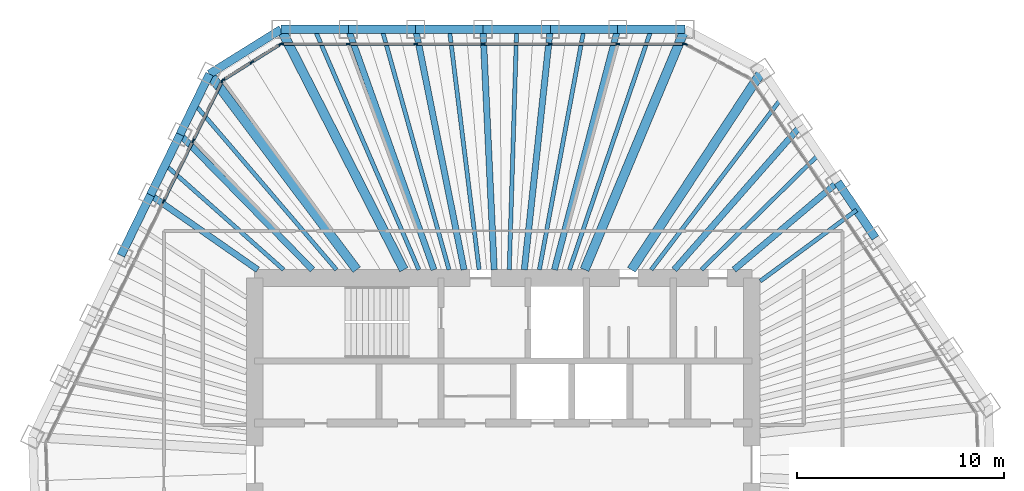
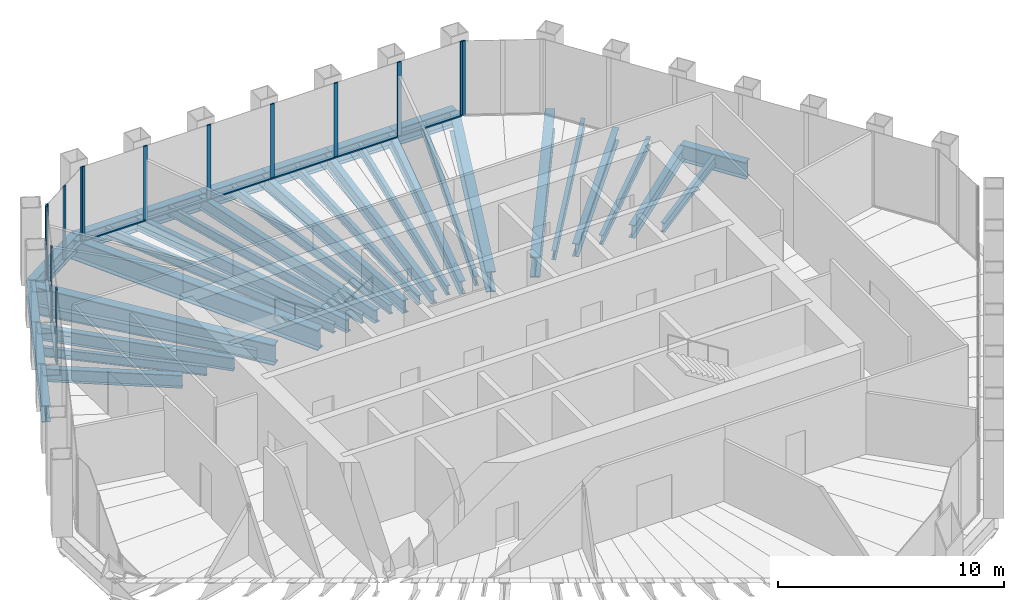
# One storey, part 7 of 14: 35 beams, 24 members, 4 elements without a shape of their own.
"""IFC4 building model written with IfcOpenShell, lengths in metres."""

from ifc_helpers import new_model, si_unit, direction, frame, origin, origin_2d, place, context, subcontext, project, spatial, rectangle, i_section, extrude, material, material_profile, profile_set, type_object, element, aggregate, save


model = new_model("IFC4")

# Units and contexts
model_context = context("Model", 3, precision=1e-05, world=origin(), true_north=direction((0.0, 1.0)))
body_context = subcontext(model_context, "Body", "Model", "MODEL_VIEW")
ifc_project = project(units=[si_unit("LENGTHUNIT", "METRE"), si_unit("AREAUNIT", "SQUARE_METRE"), si_unit("VOLUMEUNIT", "CUBIC_METRE"), si_unit("PLANEANGLEUNIT", "RADIAN"), si_unit("MASSUNIT", "GRAM", prefix="KILO")], contexts=[model_context])

# Site, building, storey
site_placement = place(None, origin())
site = spatial("IfcSite", under=ifc_project, at=site_placement, CompositionType="ELEMENT")
building_placement = place(site_placement, origin())
building = spatial("IfcBuilding", under=site, at=building_placement, Name="Qingtian Harvest Tower", CompositionType="ELEMENT")
storey_placement = place(building_placement, frame((0.0, 0.0, 320.800048828125)))
storey = spatial("IfcBuildingStorey", under=building, at=storey_placement, Name="L71", CompositionType="ELEMENT", Elevation=320.800048828125)

# Beams
ifc_material_1 = material(Name="Steel SM570MC", Category="steel")
ifc_material_profile_1 = material_profile(ifc_material_1, i_section(OverallWidth=0.449951171875, OverallDepth=1.10009765625, WebThickness=0.02197265625, FlangeThickness=0.044921875, at=origin_2d()), Name="H1100x450x22x45")
ifc_profile_set_1 = profile_set([ifc_material_profile_1], Name="Steel SM570MC")
beam_type_1 = type_object("IfcBeamType", Name="Corner floor beam FB8 H1100x450x22x45", PredefinedType="BEAM", material=ifc_profile_set_1)
beam_1_placement = place(storey_placement, frame((-10.72216796875, 21.0, -0.719970703125), z_axis=(0.454725592954, -0.890631593372, 0.0), x_axis=(0.890631593372, 0.454725592954, 0.0)))
element("IfcBeam", 1, at=beam_1_placement, inside=storey, type_object=beam_type_1, Name="Floor beam FB8 N0", PredefinedType="BEAM", context=body_context, shape_type="SweptSolid", body=[
    extrude(i_section(OverallWidth=0.449951171875, OverallDepth=1.10009765625, WebThickness=0.02197265625, FlangeThickness=0.044921875, at=origin_2d()), origin(), (0.0, 0.0, 1.0), 13.024658203125),
])
beam_2_placement = place(storey_placement, frame((8.765869140625, 21.0, -0.719970703125), z_axis=(-0.385202803059, -0.922831945977, 0.0), x_axis=(0.922831945977, -0.385202803059, 0.0)))
element("IfcBeam", 2, at=beam_2_placement, inside=storey, type_object=beam_type_1, Name="Floor beam FB8 N6", PredefinedType="BEAM", context=body_context, shape_type="SweptSolid", body=[
    extrude(i_section(OverallWidth=0.449951171875, OverallDepth=1.10009765625, WebThickness=0.02197265625, FlangeThickness=0.044921875, at=origin_2d()), origin(), (0.0, 0.0, 1.0), 12.570068359375),
])
beam_3_placement = place(storey_placement, frame((12.508056640625, 19.01025390625, -0.719970703125), z_axis=(-0.549655478371, -0.835391438247, 0.0), x_axis=(0.835391438247, -0.549655478371, 0.0)))
element("IfcBeam", 3, at=beam_3_placement, inside=storey, type_object=beam_type_1, Name="Floor beam FB8 NE0", PredefinedType="BEAM", context=body_context, shape_type="SweptSolid", body=[
    extrude(i_section(OverallWidth=0.449951171875, OverallDepth=1.10009765625, WebThickness=0.02197265625, FlangeThickness=0.044921875, at=origin_2d()), origin(), (0.0, 0.0, 1.0), 11.50390625),
])
beam_4_placement = place(storey_placement, frame((-14.17431640625, 18.8427734375, -0.719970703125), z_axis=(0.601143201392, -0.799141321307, 0.0), x_axis=(0.799141321307, 0.601143201392, 0.0)))
element("IfcBeam", 4, at=beam_4_placement, inside=storey, type_object=beam_type_1, Name="Floor beam FB8 NW6", PredefinedType="BEAM", context=body_context, shape_type="SweptSolid", body=[
    extrude(i_section(OverallWidth=0.449951171875, OverallDepth=1.10009765625, WebThickness=0.02197265625, FlangeThickness=0.044921875, at=origin_2d()), origin(), (0.0, 0.0, 1.0), 11.816162109375),
])
ifc_material_2 = material(Name="Steel SN490B", Category="steel")
ifc_material_profile_2 = material_profile(ifc_material_2, i_section(OverallWidth=0.300048828125, OverallDepth=0.699951171875, WebThickness=0.012939453125, FlangeThickness=0.02392578125, at=origin_2d()), Name="H700x300x13x24")
ifc_profile_set_2 = profile_set([ifc_material_profile_2], Name="Steel SN490B")
beam_type_2 = type_object("IfcBeamType", Name="Floor beam FB4 H700x300x13x24", PredefinedType="BEAM", material=ifc_profile_set_2)
beam_5_placement = place(storey_placement, frame((-7.47412109375, 21.0, -0.52001953125), z_axis=(0.335293644082, -0.942113672673, 0.0), x_axis=(0.942113672673, 0.335293644082, 0.0)))
element("IfcBeam", 5, at=beam_5_placement, inside=storey, type_object=beam_type_2, Name="Floor beam FB4 N1", PredefinedType="BEAM", context=body_context, shape_type="SweptSolid", body=[
    extrude(i_section(OverallWidth=0.300048828125, OverallDepth=0.699951171875, WebThickness=0.012939453125, FlangeThickness=0.02392578125, at=origin_2d()), origin(), (0.0, 0.0, 1.0), 12.312744140625),
])
beam_6_placement = place(storey_placement, frame((-4.226318359375, 21.0, -0.52001953125), z_axis=(0.197290474792, -0.980345076265, 0.0), x_axis=(0.980345076265, 0.197290474792, 0.0)))
element("IfcBeam", 6, at=beam_6_placement, inside=storey, type_object=beam_type_2, Name="Floor beam FB4 N2", PredefinedType="BEAM", context=body_context, shape_type="SweptSolid", body=[
    extrude(i_section(OverallWidth=0.300048828125, OverallDepth=0.699951171875, WebThickness=0.012939453125, FlangeThickness=0.02392578125, at=origin_2d()), origin(), (0.0, 0.0, 1.0), 11.832763671875),
])
beam_7_placement = place(storey_placement, frame((-0.978271484375, 21.0, -0.52001953125), z_axis=(0.046546287853, -0.998916134161, 0.0), x_axis=(0.998916134161, 0.046546287853, 0.0)))
element("IfcBeam", 7, at=beam_7_placement, inside=storey, type_object=beam_type_2, Name="Floor beam FB4 N3", PredefinedType="BEAM", context=body_context, shape_type="SweptSolid", body=[
    extrude(i_section(OverallWidth=0.300048828125, OverallDepth=0.699951171875, WebThickness=0.012939453125, FlangeThickness=0.02392578125, at=origin_2d()), origin(), (0.0, 0.0, 1.0), 11.61279296875),
])
beam_8_placement = place(storey_placement, frame((2.269775390625, 21.0, -0.52001953125), z_axis=(-0.107447744153, -0.994210733334, 0.0), x_axis=(0.994210733334, -0.107447744153, 0.0)))
element("IfcBeam", 8, at=beam_8_placement, inside=storey, type_object=beam_type_2, Name="Floor beam FB4 N4", PredefinedType="BEAM", context=body_context, shape_type="SweptSolid", body=[
    extrude(i_section(OverallWidth=0.300048828125, OverallDepth=0.699951171875, WebThickness=0.012939453125, FlangeThickness=0.02392578125, at=origin_2d()), origin(), (0.0, 0.0, 1.0), 11.667724609375),
])
beam_9_placement = place(storey_placement, frame((5.517822265625, 21.0, -0.52001953125), z_axis=(-0.254118548412, -0.967173078282, 0.0), x_axis=(0.967173078282, -0.254118548412, 0.0)))
element("IfcBeam", 9, at=beam_9_placement, inside=storey, type_object=beam_type_2, Name="Floor beam FB4 N5", PredefinedType="BEAM", context=body_context, shape_type="SweptSolid", body=[
    extrude(i_section(OverallWidth=0.300048828125, OverallDepth=0.699951171875, WebThickness=0.012939453125, FlangeThickness=0.02392578125, at=origin_2d()), origin(), (0.0, 0.0, 1.0), 11.993896484375),
])
beam_10_placement = place(storey_placement, frame((14.32421875, 16.317626953125, -0.52001953125), z_axis=(-0.659703637934, -0.751525854576, 0.0), x_axis=(0.751525854576, -0.659703637934, 0.0)))
element("IfcBeam", 10, at=beam_10_placement, inside=storey, type_object=beam_type_2, Name="Floor beam FB4 NE1", PredefinedType="BEAM", context=body_context, shape_type="SweptSolid", body=[
    extrude(i_section(OverallWidth=0.300048828125, OverallDepth=0.699951171875, WebThickness=0.012939453125, FlangeThickness=0.02392578125, at=origin_2d()), origin(), (0.0, 0.0, 1.0), 9.204833984375),
])
beam_11_placement = place(storey_placement, frame((16.140625, 13.624755859375, -0.52001953125), z_axis=(-0.764157701072, -0.645029462809, 0.0), x_axis=(0.645029462809, -0.764157701072, 0.0)))
element("IfcBeam", 11, at=beam_11_placement, inside=storey, type_object=beam_type_2, Name="Floor beam FB4 NE2", PredefinedType="BEAM", context=body_context, shape_type="SweptSolid", body=[
    extrude(i_section(OverallWidth=0.300048828125, OverallDepth=0.699951171875, WebThickness=0.012939453125, FlangeThickness=0.02392578125, at=origin_2d()), origin(), (0.0, 0.0, 1.0), 6.5498046875),
])
beam_12_placement = place(storey_placement, frame((-17.02197265625, 13.00439453125, -0.52001953125), z_axis=(0.820409176986, -0.571776864097, 0.0), x_axis=(0.571776864097, 0.820409176986, 0.0)))
element("IfcBeam", 12, at=beam_12_placement, inside=storey, type_object=beam_type_2, Name="Floor beam FB4 NW4", PredefinedType="BEAM", context=body_context, shape_type="SweptSolid", body=[
    extrude(i_section(OverallWidth=0.300048828125, OverallDepth=0.699951171875, WebThickness=0.012939453125, FlangeThickness=0.02392578125, at=origin_2d()), origin(), (0.0, 0.0, 1.0), 6.303955078125),
])
beam_13_placement = place(storey_placement, frame((-15.59814453125, 15.923583984375, -0.52001953125), z_axis=(0.699757003326, -0.714380946202, 0.0), x_axis=(0.714380946202, 0.699757003326, 0.0)))
element("IfcBeam", 13, at=beam_13_placement, inside=storey, type_object=beam_type_2, Name="Floor beam FB4 NW5", PredefinedType="BEAM", context=body_context, shape_type="SweptSolid", body=[
    extrude(i_section(OverallWidth=0.300048828125, OverallDepth=0.699951171875, WebThickness=0.012939453125, FlangeThickness=0.02392578125, at=origin_2d()), origin(), (0.0, 0.0, 1.0), 9.1318359375),
])
ifc_material_3 = material(Name="Steel SN490B", Category="steel")
ifc_material_profile_3 = material_profile(ifc_material_3, i_section(OverallWidth=0.199951171875, OverallDepth=0.5, WebThickness=0.010009765625, FlangeThickness=0.01611328125, at=origin_2d()), Name="H500x200x10x16")
ifc_profile_set_3 = profile_set([ifc_material_profile_3], Name="Steel SN490B")
beam_type_3 = type_object("IfcBeamType", Name="Floor joist J3 H500x200x10x16", PredefinedType="JOIST", material=ifc_profile_set_3)
beam_14_placement = place(storey_placement, frame((-9.09814453125, 21.0, -0.420166015625), z_axis=(0.39753589741, -0.917586622761, 0.0), x_axis=(0.917586622761, 0.39753589741, 0.0)))
element("IfcBeam", 14, at=beam_14_placement, inside=storey, type_object=beam_type_3, Name="Floor joist J3 N0", PredefinedType="JOIST", context=body_context, shape_type="SweptSolid", body=[
    extrude(i_section(OverallWidth=0.199951171875, OverallDepth=0.5, WebThickness=0.010009765625, FlangeThickness=0.01611328125, at=origin_2d()), origin(), (0.0, 0.0, 1.0), 12.641845703125),
])
beam_15_placement = place(storey_placement, frame((-5.85009765625, 21.0, -0.420166015625), z_axis=(0.268352758425, -0.963320713494, 0.0), x_axis=(0.963320713494, 0.268352758425, 0.0)))
element("IfcBeam", 15, at=beam_15_placement, inside=storey, type_object=beam_type_3, Name="Floor joist J3 N1", PredefinedType="JOIST", context=body_context, shape_type="SweptSolid", body=[
    extrude(i_section(OverallWidth=0.199951171875, OverallDepth=0.5, WebThickness=0.010009765625, FlangeThickness=0.01611328125, at=origin_2d()), origin(), (0.0, 0.0, 1.0), 12.041748046875),
])
beam_16_placement = place(storey_placement, frame((-2.602294921875, 21.0, -0.420166015625), z_axis=(0.122980691304, -0.992409063626, 0.0), x_axis=(0.992409063626, 0.122980691304, 0.0)))
element("IfcBeam", 16, at=beam_16_placement, inside=storey, type_object=beam_type_3, Name="Floor joist J3 N2", PredefinedType="JOIST", context=body_context, shape_type="SweptSolid", body=[
    extrude(i_section(OverallWidth=0.199951171875, OverallDepth=0.5, WebThickness=0.010009765625, FlangeThickness=0.01611328125, at=origin_2d()), origin(), (0.0, 0.0, 1.0), 11.688720703125),
])
beam_17_placement = place(storey_placement, frame((0.645751953125, 21.0, -0.420166015625), z_axis=(-0.030734305856, -0.999527589636, 0.0), x_axis=(0.999527589636, -0.030734305856, 0.0)))
element("IfcBeam", 17, at=beam_17_placement, inside=storey, type_object=beam_type_3, Name="Floor joist J3 N3", PredefinedType="JOIST", context=body_context, shape_type="SweptSolid", body=[
    extrude(i_section(OverallWidth=0.199951171875, OverallDepth=0.5, WebThickness=0.010009765625, FlangeThickness=0.01611328125, at=origin_2d()), origin(), (0.0, 0.0, 1.0), 11.60546875),
])
beam_18_placement = place(storey_placement, frame((3.893798828125, 21.0, -0.420166015625), z_axis=(-0.182311561934, -0.983240812001, 0.0), x_axis=(0.983240812001, -0.182311561934, 0.0)))
element("IfcBeam", 18, at=beam_18_placement, inside=storey, type_object=beam_type_3, Name="Floor joist J3 N4", PredefinedType="JOIST", context=body_context, shape_type="SweptSolid", body=[
    extrude(i_section(OverallWidth=0.199951171875, OverallDepth=0.5, WebThickness=0.010009765625, FlangeThickness=0.01611328125, at=origin_2d()), origin(), (0.0, 0.0, 1.0), 11.7978515625),
])
beam_19_placement = place(storey_placement, frame((7.141845703125, 21.0, -0.420166015625), z_axis=(-0.321978462512, -0.946746993488, 0.0), x_axis=(0.946746993488, -0.321978462512, 0.0)))
element("IfcBeam", 19, at=beam_19_placement, inside=storey, type_object=beam_type_3, Name="Floor joist J3 N5", PredefinedType="JOIST", context=body_context, shape_type="SweptSolid", body=[
    extrude(i_section(OverallWidth=0.199951171875, OverallDepth=0.5, WebThickness=0.010009765625, FlangeThickness=0.01611328125, at=origin_2d()), origin(), (0.0, 0.0, 1.0), 12.252685546875),
])
beam_20_placement = place(storey_placement, frame((13.416015625, 17.6640625, -0.420166015625), z_axis=(-0.604829724016, -0.796354823522, 0.0), x_axis=(0.796354823522, -0.604829724016, 0.0)))
element("IfcBeam", 20, at=beam_20_placement, inside=storey, type_object=beam_type_3, Name="Floor joist J3 NE0", PredefinedType="JOIST", context=body_context, shape_type="SweptSolid", body=[
    extrude(i_section(OverallWidth=0.199951171875, OverallDepth=0.5, WebThickness=0.010009765625, FlangeThickness=0.01611328125, at=origin_2d()), origin(), (0.0, 0.0, 1.0), 10.37744140625),
])
beam_21_placement = place(storey_placement, frame((15.232421875, 14.97119140625, -0.420166015625), z_axis=(-0.713193091885, -0.700967626704, 0.0), x_axis=(0.700967626704, -0.713193091885, 0.0)))
element("IfcBeam", 21, at=beam_21_placement, inside=storey, type_object=beam_type_3, Name="Floor joist J3 NE1", PredefinedType="JOIST", context=body_context, shape_type="SweptSolid", body=[
    extrude(i_section(OverallWidth=0.199951171875, OverallDepth=0.5, WebThickness=0.010009765625, FlangeThickness=0.01611328125, at=origin_2d()), origin(), (0.0, 0.0, 1.0), 7.947998046875),
])
beam_22_placement = place(storey_placement, frame((17.048583984375, 12.278564453125, -0.420166015625), z_axis=(-0.804797608796, -0.59354933146, 0.0), x_axis=(0.59354933146, -0.804797608796, 0.0)))
element("IfcBeam", 22, at=beam_22_placement, inside=storey, type_object=beam_type_3, Name="Floor joist J3 NE2", PredefinedType="JOIST", context=body_context, shape_type="SweptSolid", body=[
    extrude(i_section(OverallWidth=0.199951171875, OverallDepth=0.5, WebThickness=0.010009765625, FlangeThickness=0.01611328125, at=origin_2d()), origin(), (0.0, 0.0, 1.0), 5.776123046875),
])
beam_23_placement = place(storey_placement, frame((-16.31005859375, 14.4638671875, -0.420166015625), z_axis=(0.748174776717, -0.663501698177, 0.0), x_axis=(0.663501698177, 0.748174776717, 0.0)))
element("IfcBeam", 23, at=beam_23_placement, inside=storey, type_object=beam_type_3, Name="Floor joist J3 NW4", PredefinedType="JOIST", context=body_context, shape_type="SweptSolid", body=[
    extrude(i_section(OverallWidth=0.199951171875, OverallDepth=0.5, WebThickness=0.010009765625, FlangeThickness=0.01611328125, at=origin_2d()), origin(), (0.0, 0.0, 1.0), 7.632080078125),
])
beam_24_placement = place(storey_placement, frame((-14.88623046875, 17.38330078125, -0.420166015625), z_axis=(0.650435500933, -0.75956149134, 0.0), x_axis=(0.75956149134, 0.650435500933, 0.0)))
element("IfcBeam", 24, at=beam_24_placement, inside=storey, type_object=beam_type_3, Name="Floor joist J3 NW5", PredefinedType="JOIST", context=body_context, shape_type="SweptSolid", body=[
    extrude(i_section(OverallWidth=0.199951171875, OverallDepth=0.5, WebThickness=0.010009765625, FlangeThickness=0.01611328125, at=origin_2d()), origin(), (0.0, 0.0, 1.0), 10.510498046875),
])

# Curtain wall, members
ifc_material_4 = material(Name="Bronze-anodised aluminium curtain wall", Category="aluminium")
curtain_wall_type = type_object("IfcCurtainWallType", Name="Curtain wall CW5 upper office", PredefinedType="USERDEFINED", material=ifc_material_4)
curtain_wall_1_placement = place(storey_placement, origin())
curtain_wall_1 = element("IfcCurtainWall", 25, at=curtain_wall_1_placement, inside=storey, type_object=curtain_wall_type, Name="Curtain wall CW5 L71 N0-5", ObjectType="RECESSED CURTAIN WALL", PredefinedType="USERDEFINED")
ifc_material_5 = material(Name="Bronze-anodised aluminium mullion", Category="aluminium")
ifc_material_profile_4 = material_profile(ifc_material_5, rectangle(XDim=0.06494140625, YDim=0.199951171875, at=origin_2d()), Name="AL 65x200")
ifc_profile_set_4 = profile_set([ifc_material_profile_4], Name="Bronze-anodised aluminium mullion")
member_type_1 = type_object("IfcMemberType", Name="Mullion CWM 65x200", PredefinedType="MULLION", material=ifc_profile_set_4)
member_1_placement = place(storey_placement, frame((-10.689697265625, 20.300048828125, 0.0), z_axis=(0.0, 0.0, 1.0), x_axis=(0.0, 1.0, 0.0)))
member_1 = element("IfcMember", 26, at=member_1_placement, type_object=member_type_1, Name="CW5 mullion 1", PredefinedType="MULLION", context=body_context, shape_type="SweptSolid", body=[
    extrude(rectangle(XDim=0.06494140625, YDim=0.199951171875, at=origin_2d()), origin(), (0.0, 0.0, 1.0), 4.030029296875),
])
member_2_placement = place(storey_placement, frame((-7.47412109375, 20.300048828125, 0.0), z_axis=(0.0, 0.0, 1.0), x_axis=(0.0, 1.0, 0.0)))
member_2 = element("IfcMember", 27, at=member_2_placement, type_object=member_type_1, Name="CW5 mullion 2", PredefinedType="MULLION", context=body_context, shape_type="SweptSolid", body=[
    extrude(rectangle(XDim=0.06494140625, YDim=0.199951171875, at=origin_2d()), origin(), (0.0, 0.0, 1.0), 4.030029296875),
])
member_3_placement = place(storey_placement, frame((-4.226318359375, 20.300048828125, 0.0), z_axis=(0.0, 0.0, 1.0), x_axis=(0.0, 1.0, 0.0)))
member_3 = element("IfcMember", 28, at=member_3_placement, type_object=member_type_1, Name="CW5 mullion 3", PredefinedType="MULLION", context=body_context, shape_type="SweptSolid", body=[
    extrude(rectangle(XDim=0.06494140625, YDim=0.199951171875, at=origin_2d()), origin(), (0.0, 0.0, 1.0), 4.030029296875),
])
member_4_placement = place(storey_placement, frame((-0.978271484375, 20.300048828125, 0.0), z_axis=(0.0, 0.0, 1.0), x_axis=(0.0, 1.0, 0.0)))
member_4 = element("IfcMember", 29, at=member_4_placement, type_object=member_type_1, Name="CW5 mullion 4", PredefinedType="MULLION", context=body_context, shape_type="SweptSolid", body=[
    extrude(rectangle(XDim=0.06494140625, YDim=0.199951171875, at=origin_2d()), origin(), (0.0, 0.0, 1.0), 4.030029296875),
])
member_5_placement = place(storey_placement, frame((2.269775390625, 20.300048828125, 0.0), z_axis=(0.0, 0.0, 1.0), x_axis=(0.0, 1.0, 0.0)))
member_5 = element("IfcMember", 30, at=member_5_placement, type_object=member_type_1, Name="CW5 mullion 5", PredefinedType="MULLION", context=body_context, shape_type="SweptSolid", body=[
    extrude(rectangle(XDim=0.06494140625, YDim=0.199951171875, at=origin_2d()), origin(), (0.0, 0.0, 1.0), 4.030029296875),
])
member_6_placement = place(storey_placement, frame((5.517822265625, 20.300048828125, 0.0), z_axis=(0.0, 0.0, 1.0), x_axis=(0.0, 1.0, 0.0)))
member_6 = element("IfcMember", 31, at=member_6_placement, type_object=member_type_1, Name="CW5 mullion 6", PredefinedType="MULLION", context=body_context, shape_type="SweptSolid", body=[
    extrude(rectangle(XDim=0.06494140625, YDim=0.199951171875, at=origin_2d()), origin(), (0.0, 0.0, 1.0), 4.030029296875),
])
member_7_placement = place(storey_placement, frame((8.7333984375, 20.300048828125, 0.0), z_axis=(0.0, 0.0, 1.0), x_axis=(0.0, 1.0, 0.0)))
member_7 = element("IfcMember", 32, at=member_7_placement, type_object=member_type_1, Name="CW5 mullion 7", PredefinedType="MULLION", context=body_context, shape_type="SweptSolid", body=[
    extrude(rectangle(XDim=0.06494140625, YDim=0.199951171875, at=origin_2d()), origin(), (0.0, 0.0, 1.0), 4.030029296875),
])

# Curtain wall, member
curtain_wall_2_placement = place(storey_placement, origin())
curtain_wall_2 = element("IfcCurtainWall", 33, at=curtain_wall_2_placement, inside=storey, type_object=curtain_wall_type, Name="Curtain wall CW5 L71 NC", ObjectType="RECESSED CURTAIN WALL", PredefinedType="USERDEFINED")
member_8_placement = place(storey_placement, frame((8.794677734375, 20.28466796875, 0.0), z_axis=(0.0, 0.0, 1.0), x_axis=(0.469471562786, 0.882947592859, 0.0)))
member_8 = element("IfcMember", 34, at=member_8_placement, type_object=member_type_1, Name="CW5 mullion 1", PredefinedType="MULLION", context=body_context, shape_type="SweptSolid", body=[
    extrude(rectangle(XDim=0.06494140625, YDim=0.199951171875, at=origin_2d()), origin(), (0.0, 0.0, 1.0), 4.030029296875),
])
aggregate(curtain_wall_2, [member_8])

# Curtain wall, members
curtain_wall_3_placement = place(storey_placement, origin())
curtain_wall_3 = element("IfcCurtainWall", 35, at=curtain_wall_3_placement, inside=storey, type_object=curtain_wall_type, Name="Curtain wall CW5 L71 NW0-5", ObjectType="RECESSED CURTAIN WALL", PredefinedType="USERDEFINED")
member_9_placement = place(storey_placement, frame((-16.392822265625, 12.697509765625, 0.0), z_axis=(0.0, 0.0, 1.0), x_axis=(-0.898794046299, 0.438371146789, 0.0)))
member_9 = element("IfcMember", 36, at=member_9_placement, type_object=member_type_1, Name="CW5 mullion 5", PredefinedType="MULLION", context=body_context, shape_type="SweptSolid", body=[
    extrude(rectangle(XDim=0.06494140625, YDim=0.199951171875, at=origin_2d()), origin(), (0.0, 0.0, 1.0), 4.030029296875),
])
member_10_placement = place(storey_placement, frame((-14.968994140625, 15.61669921875, 0.0), z_axis=(0.0, 0.0, 1.0), x_axis=(-0.898794046299, 0.438371146789, 0.0)))
member_10 = element("IfcMember", 37, at=member_10_placement, type_object=member_type_1, Name="CW5 mullion 6", PredefinedType="MULLION", context=body_context, shape_type="SweptSolid", body=[
    extrude(rectangle(XDim=0.06494140625, YDim=0.199951171875, at=origin_2d()), origin(), (0.0, 0.0, 1.0), 4.030029296875),
])
member_11_placement = place(storey_placement, frame((-13.559326171875, 18.5068359375, 0.0), z_axis=(0.0, 0.0, 1.0), x_axis=(-0.898794046299, 0.438371146789, 0.0)))
member_11 = element("IfcMember", 38, at=member_11_placement, type_object=member_type_1, Name="CW5 mullion 7", PredefinedType="MULLION", context=body_context, shape_type="SweptSolid", body=[
    extrude(rectangle(XDim=0.06494140625, YDim=0.199951171875, at=origin_2d()), origin(), (0.0, 0.0, 1.0), 4.030029296875),
])

curtain_wall_4_placement = place(storey_placement, origin())
curtain_wall_4 = element("IfcCurtainWall", 39, at=curtain_wall_4_placement, inside=storey, type_object=curtain_wall_type, Name="Curtain wall CW5 L71 NWC", ObjectType="RECESSED CURTAIN WALL", PredefinedType="USERDEFINED")
member_12_placement = place(storey_placement, frame((-13.517578125, 18.55322265625, 0.0), z_axis=(0.0, 0.0, 1.0), x_axis=(-0.529919264233, 0.848048096156, 0.0)))
member_12 = element("IfcMember", 40, at=member_12_placement, type_object=member_type_1, Name="CW5 mullion 1", PredefinedType="MULLION", context=body_context, shape_type="SweptSolid", body=[
    extrude(rectangle(XDim=0.06494140625, YDim=0.199951171875, at=origin_2d()), origin(), (0.0, 0.0, 1.0), 4.030029296875),
])
member_13_placement = place(storey_placement, frame((-12.1337890625, 19.41796875, 0.0), z_axis=(0.0, 0.0, 1.0), x_axis=(-0.529919264233, 0.848048096156, 0.0)))
member_13 = element("IfcMember", 41, at=member_13_placement, type_object=member_type_1, Name="CW5 mullion 2", PredefinedType="MULLION", context=body_context, shape_type="SweptSolid", body=[
    extrude(rectangle(XDim=0.06494140625, YDim=0.199951171875, at=origin_2d()), origin(), (0.0, 0.0, 1.0), 4.030029296875),
])
member_14_placement = place(storey_placement, frame((-10.749755859375, 20.28271484375, 0.0), z_axis=(0.0, 0.0, 1.0), x_axis=(-0.529919264233, 0.848048096156, 0.0)))
member_14 = element("IfcMember", 42, at=member_14_placement, type_object=member_type_1, Name="CW5 mullion 3", PredefinedType="MULLION", context=body_context, shape_type="SweptSolid", body=[
    extrude(rectangle(XDim=0.06494140625, YDim=0.199951171875, at=origin_2d()), origin(), (0.0, 0.0, 1.0), 4.030029296875),
])

# Beams
ifc_material_6 = material(Name="Steel SN490B", Category="steel")
ifc_material_profile_5 = material_profile(ifc_material_6, i_section(OverallWidth=0.39990234375, OverallDepth=0.89990234375, WebThickness=0.01904296875, FlangeThickness=0.035888671875, at=origin_2d()), Name="H900x400x19x36")
ifc_profile_set_5 = profile_set([ifc_material_profile_5], Name="Steel SN490B")
beam_type_4 = type_object("IfcBeamType", Name="Spandrel beam SB4 H900x400x19x36", PredefinedType="SPANDREL", material=ifc_profile_set_5)
beam_25_placement = place(storey_placement, frame((-10.72216796875, 21.0, -0.449951171875), z_axis=(1.0, 0.0, 0.0), x_axis=(0.0, 1.0, 0.0)))
element("IfcBeam", 43, at=beam_25_placement, inside=storey, type_object=beam_type_4, Name="Spandrel SB4 N0", PredefinedType="SPANDREL", context=body_context, shape_type="SweptSolid", body=[
    extrude(i_section(OverallWidth=0.39990234375, OverallDepth=0.89990234375, WebThickness=0.01904296875, FlangeThickness=0.035888671875, at=origin_2d()), origin(), (0.0, 0.0, 1.0), 3.248046875),
])
beam_26_placement = place(storey_placement, frame((-7.47412109375, 21.0, -0.449951171875), z_axis=(1.0, 0.0, 0.0), x_axis=(0.0, 1.0, 0.0)))
element("IfcBeam", 44, at=beam_26_placement, inside=storey, type_object=beam_type_4, Name="Spandrel SB4 N1", PredefinedType="SPANDREL", context=body_context, shape_type="SweptSolid", body=[
    extrude(i_section(OverallWidth=0.39990234375, OverallDepth=0.89990234375, WebThickness=0.01904296875, FlangeThickness=0.035888671875, at=origin_2d()), origin(), (0.0, 0.0, 1.0), 3.247802734375),
])
for number, where, z_axis, x_axis, name in (
    (45, (-4.226318359375, 21.0, -0.449951171875), (1.0, 0.0, 0.0), (0.0, 1.0, 0.0), "Spandrel SB4 N2"),
    (46, (-0.978271484375, 21.0, -0.449951171875), (1.0, 0.0, 0.0), (0.0, 1.0, 0.0), "Spandrel SB4 N3"),
    (47, (2.269775390625, 21.0, -0.449951171875), (1.0, 0.0, 0.0), (0.0, 1.0, 0.0), "Spandrel SB4 N4"),
    (48, (5.517822265625, 21.0, -0.449951171875), (1.0, 0.0, 0.0), (0.0, 1.0, 0.0), "Spandrel SB4 N5"),
):
    element("IfcBeam", number, at=place(storey_placement, frame(where, z_axis=z_axis, x_axis=x_axis)), inside=storey, type_object=beam_type_4, Name=name, PredefinedType="SPANDREL", context=body_context, shape_type="SweptSolid", body=[
        extrude(i_section(OverallWidth=0.39990234375, OverallDepth=0.89990234375, WebThickness=0.01904296875, FlangeThickness=0.035888671875, at=origin_2d()), origin(), (0.0, 0.0, 1.0), 3.248046875),
    ])
beam_27_placement = place(storey_placement, frame((16.140625, 13.624755859375, -0.449951171875), z_axis=(0.559184924833, -0.829042954158, 0.0), x_axis=(0.829042954158, 0.559184924833, 0.0)))
element("IfcBeam", 49, at=beam_27_placement, inside=storey, type_object=beam_type_4, Name="Spandrel SB4 NE2", PredefinedType="SPANDREL", context=body_context, shape_type="SweptSolid", body=[
    extrude(i_section(OverallWidth=0.39990234375, OverallDepth=0.89990234375, WebThickness=0.01904296875, FlangeThickness=0.035888671875, at=origin_2d()), origin(), (0.0, 0.0, 1.0), 3.247802734375),
])
beam_28_placement = place(storey_placement, frame((-18.44580078125, 10.0849609375, -0.449951171875), z_axis=(0.438352548749, 0.898803116931, 0.0), x_axis=(-0.898803116931, 0.438352548749, 0.0)))
element("IfcBeam", 50, at=beam_28_placement, inside=storey, type_object=beam_type_4, Name="Spandrel SB4 NW3", PredefinedType="SPANDREL", context=body_context, shape_type="SweptSolid", body=[
    extrude(i_section(OverallWidth=0.39990234375, OverallDepth=0.89990234375, WebThickness=0.01904296875, FlangeThickness=0.035888671875, at=origin_2d()), origin(), (0.0, 0.0, 1.0), 3.248046875),
])
for number, where, z_axis, x_axis, name in (
    (51, (-17.02197265625, 13.00439453125, -0.449951171875), (0.438382164311, 0.898788672611, 0.0), (-0.898788672611, 0.438382164311, 0.0), "Spandrel SB4 NW4"),
    (52, (-15.59814453125, 15.923583984375, -0.449951171875), (0.438382164311, 0.898788672611, 0.0), (-0.898788672611, 0.438382164311, 0.0), "Spandrel SB4 NW5"),
):
    element("IfcBeam", number, at=place(storey_placement, frame(where, z_axis=z_axis, x_axis=x_axis)), inside=storey, type_object=beam_type_4, Name=name, PredefinedType="SPANDREL", context=body_context, shape_type="SweptSolid", body=[
        extrude(i_section(OverallWidth=0.39990234375, OverallDepth=0.89990234375, WebThickness=0.01904296875, FlangeThickness=0.035888671875, at=origin_2d()), origin(), (0.0, 0.0, 1.0), 3.247802734375),
    ])
beam_29_placement = place(storey_placement, frame((-14.17431640625, 18.8427734375, -0.449951171875), z_axis=(0.848038733752, 0.529934246919, 0.0), x_axis=(-0.529934246919, 0.848038733752, 0.0)))
element("IfcBeam", 53, at=beam_29_placement, inside=storey, type_object=beam_type_4, Name="Spandrel SB4 NWC", PredefinedType="SPANDREL", context=body_context, shape_type="SweptSolid", body=[
    extrude(i_section(OverallWidth=0.39990234375, OverallDepth=0.89990234375, WebThickness=0.01904296875, FlangeThickness=0.035888671875, at=origin_2d()), origin(), (0.0, 0.0, 1.0), 4.07080078125),
])

# Member
ifc_material_7 = material(Name="Bronze-anodised aluminium transom", Category="aluminium")
ifc_material_profile_6 = material_profile(ifc_material_7, rectangle(XDim=0.14990234375, YDim=0.06494140625, at=origin_2d()), Name="AL 65x150")
ifc_profile_set_6 = profile_set([ifc_material_profile_6], Name="Bronze-anodised aluminium transom")
member_type_2 = type_object("IfcMemberType", Name="Transom CWT 65x150", PredefinedType="USERDEFINED", material=ifc_profile_set_6)
member_15_placement = place(storey_placement, frame((-10.6572265625, 20.300048828125, 0.032470703125), z_axis=(1.0, 0.0, 0.0), x_axis=(0.0, 1.0, 0.0)))
member_15 = element("IfcMember", 54, at=member_15_placement, type_object=member_type_2, Name="CW5 transom 1.1", ObjectType="TRANSOM", PredefinedType="USERDEFINED", context=body_context, shape_type="SweptSolid", body=[
    extrude(rectangle(XDim=0.14990234375, YDim=0.06494140625, at=origin_2d()), origin(), (0.0, 0.0, 1.0), 3.150390625),
])

member_16_placement = place(storey_placement, frame((-7.441650390625, 20.300048828125, 0.032470703125), z_axis=(1.0, 0.0, 0.0), x_axis=(0.0, 1.0, 0.0)))
member_16 = element("IfcMember", 55, at=member_16_placement, type_object=member_type_2, Name="CW5 transom 2.1", ObjectType="TRANSOM", PredefinedType="USERDEFINED", context=body_context, shape_type="SweptSolid", body=[
    extrude(rectangle(XDim=0.14990234375, YDim=0.06494140625, at=origin_2d()), origin(), (0.0, 0.0, 1.0), 3.182861328125),
])

member_17_placement = place(storey_placement, frame((-4.193603515625, 20.300048828125, 0.032470703125), z_axis=(1.0, 0.0, 0.0), x_axis=(0.0, 1.0, 0.0)))
member_17 = element("IfcMember", 56, at=member_17_placement, type_object=member_type_2, Name="CW5 transom 3.1", ObjectType="TRANSOM", PredefinedType="USERDEFINED", context=body_context, shape_type="SweptSolid", body=[
    extrude(rectangle(XDim=0.14990234375, YDim=0.06494140625, at=origin_2d()), origin(), (0.0, 0.0, 1.0), 3.182861328125),
])

member_18_placement = place(storey_placement, frame((-0.94580078125, 20.300048828125, 0.032470703125), z_axis=(1.0, 0.0, 0.0), x_axis=(0.0, 1.0, 0.0)))
member_18 = element("IfcMember", 57, at=member_18_placement, type_object=member_type_2, Name="CW5 transom 4.1", ObjectType="TRANSOM", PredefinedType="USERDEFINED", context=body_context, shape_type="SweptSolid", body=[
    extrude(rectangle(XDim=0.14990234375, YDim=0.06494140625, at=origin_2d()), origin(), (0.0, 0.0, 1.0), 3.18310546875),
])

member_19_placement = place(storey_placement, frame((2.30224609375, 20.300048828125, 0.032470703125), z_axis=(1.0, 0.0, 0.0), x_axis=(0.0, 1.0, 0.0)))
member_19 = element("IfcMember", 58, at=member_19_placement, type_object=member_type_2, Name="CW5 transom 5.1", ObjectType="TRANSOM", PredefinedType="USERDEFINED", context=body_context, shape_type="SweptSolid", body=[
    extrude(rectangle(XDim=0.14990234375, YDim=0.06494140625, at=origin_2d()), origin(), (0.0, 0.0, 1.0), 3.18310546875),
])

member_20_placement = place(storey_placement, frame((5.55029296875, 20.300048828125, 0.032470703125), z_axis=(1.0, 0.0, 0.0), x_axis=(0.0, 1.0, 0.0)))
member_20 = element("IfcMember", 59, at=member_20_placement, type_object=member_type_2, Name="CW5 transom 6.1", ObjectType="TRANSOM", PredefinedType="USERDEFINED", context=body_context, shape_type="SweptSolid", body=[
    extrude(rectangle(XDim=0.14990234375, YDim=0.06494140625, at=origin_2d()), origin(), (0.0, 0.0, 1.0), 3.150634765625),
])

aggregate(curtain_wall_1, [member_1, member_2, member_3, member_4, member_5, member_6, member_7, member_15, member_16, member_17, member_18, member_19, member_20])

member_21_placement = place(storey_placement, frame((-16.378662109375, 12.7265625, 0.032470703125), z_axis=(0.438355626738, 0.898801615768, 0.0), x_axis=(-0.898801615768, 0.438355626738, 0.0)))
member_21 = element("IfcMember", 60, at=member_21_placement, type_object=member_type_2, Name="CW5 transom 5.1", ObjectType="TRANSOM", PredefinedType="USERDEFINED", context=body_context, shape_type="SweptSolid", body=[
    extrude(rectangle(XDim=0.14990234375, YDim=0.06494140625, at=origin_2d()), origin(), (0.0, 0.0, 1.0), 3.182861328125),
])

member_22_placement = place(storey_placement, frame((-14.954833984375, 15.64599609375, 0.032470703125), z_axis=(0.438388515075, 0.898785575012, 0.0), x_axis=(-0.898785575012, 0.438388515075, 0.0)))
member_22 = element("IfcMember", 61, at=member_22_placement, type_object=member_type_2, Name="CW5 transom 6.1", ObjectType="TRANSOM", PredefinedType="USERDEFINED", context=body_context, shape_type="SweptSolid", body=[
    extrude(rectangle(XDim=0.14990234375, YDim=0.06494140625, at=origin_2d()), origin(), (0.0, 0.0, 1.0), 3.150390625),
])

aggregate(curtain_wall_3, [member_9, member_10, member_11, member_21, member_22])

member_23_placement = place(storey_placement, frame((-13.489990234375, 18.570556640625, 0.032470703125), z_axis=(0.848015812303, 0.529970925697, 0.0), x_axis=(-0.529970925697, 0.848015812303, 0.0)))
member_23 = element("IfcMember", 62, at=member_23_placement, type_object=member_type_2, Name="CW5 transom 1.1", ObjectType="TRANSOM", PredefinedType="USERDEFINED", context=body_context, shape_type="SweptSolid", body=[
    extrude(rectangle(XDim=0.14990234375, YDim=0.06494140625, at=origin_2d()), origin(), (0.0, 0.0, 1.0), 1.566650390625),
])

member_24_placement = place(storey_placement, frame((-12.106201171875, 19.435302734375, 0.032470703125), z_axis=(0.848059570903, 0.529900900357, 0.0), x_axis=(-0.529900900357, 0.848059570903, 0.0)))
member_24 = element("IfcMember", 63, at=member_24_placement, type_object=member_type_2, Name="CW5 transom 2.1", ObjectType="TRANSOM", PredefinedType="USERDEFINED", context=body_context, shape_type="SweptSolid", body=[
    extrude(rectangle(XDim=0.14990234375, YDim=0.06494140625, at=origin_2d()), origin(), (0.0, 0.0, 1.0), 1.56689453125),
])

aggregate(curtain_wall_4, [member_12, member_13, member_14, member_23, member_24])

save(model, "model.ifc")
